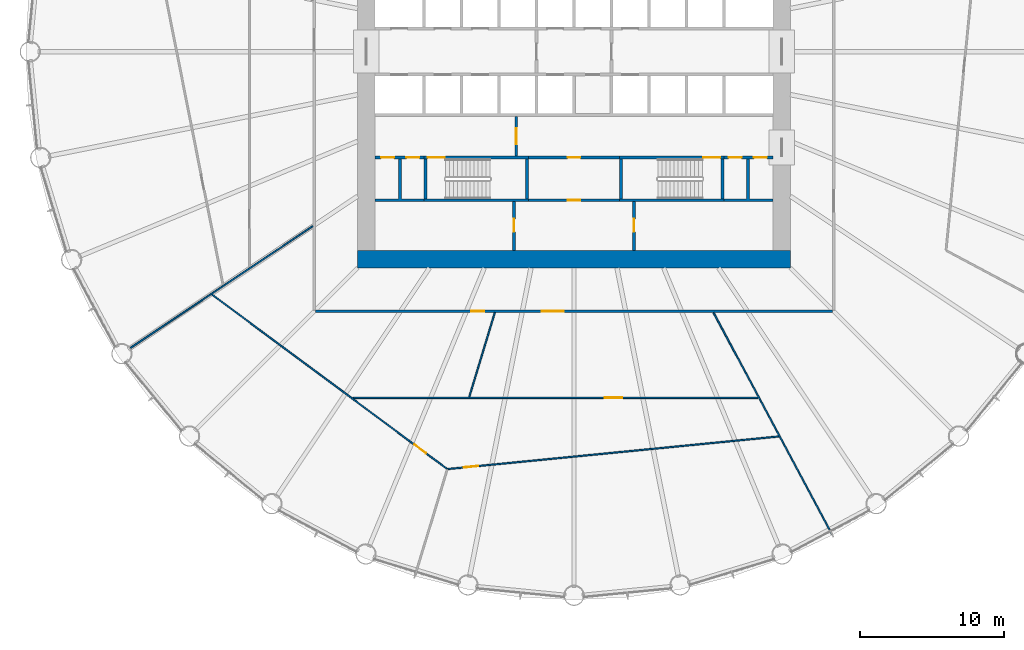
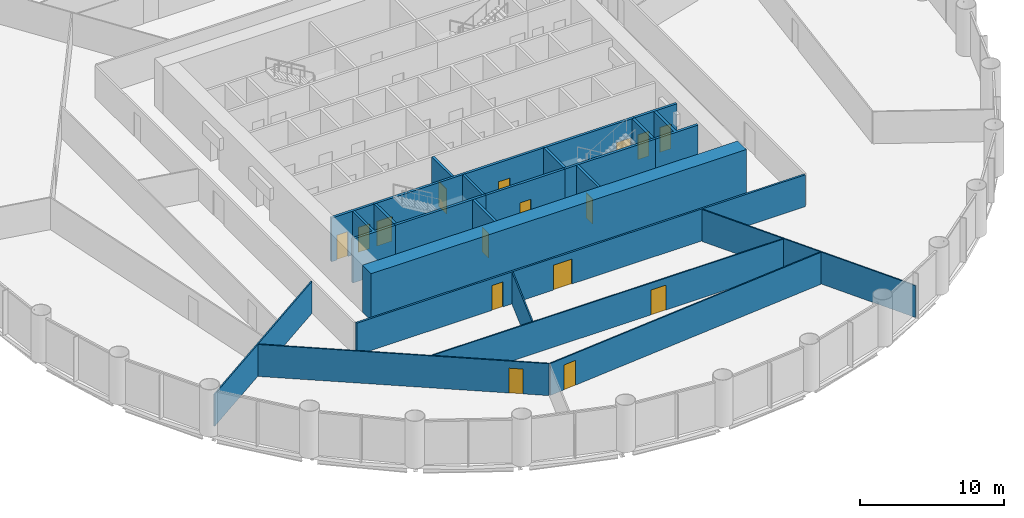
# One storey, part 10 of 14: 25 walls, 16 doors, 16 openings.
"""IFC4 building model written with IfcOpenShell, lengths in metres."""

from ifc_helpers import new_model, si_unit, direction, frame, frame_2d, origin, place, context, subcontext, project, spatial, polyline, rectangle, outline, extrude, material, layer, layer_set, type_object, element, fill, save


model = new_model("IFC4")

# Units and contexts
model_context = context("Model", 3, precision=1e-05, world=origin(), true_north=direction((0.0, 1.0)))
body_context = subcontext(model_context, "Body", "Model", "MODEL_VIEW")
ifc_project = project(units=[si_unit("LENGTHUNIT", "METRE"), si_unit("AREAUNIT", "SQUARE_METRE"), si_unit("VOLUMEUNIT", "CUBIC_METRE"), si_unit("PLANEANGLEUNIT", "RADIAN"), si_unit("MASSUNIT", "GRAM", prefix="KILO")], contexts=[model_context])

# Site, building, storey
site_placement = place(None, origin())
site = spatial("IfcSite", under=ifc_project, at=site_placement, CompositionType="ELEMENT")
building_placement = place(site_placement, origin())
building = spatial("IfcBuilding", under=site, at=building_placement, Name="Corvane Civic Tower", CompositionType="ELEMENT")
storey_placement = place(building_placement, frame((0.0, 0.0, 49.0)))
storey = spatial("IfcBuildingStorey", under=building, at=storey_placement, Name="L10", CompositionType="ELEMENT", Elevation=49.0)

# Wall
ifc_material_1 = material(Name="Concrete C80/95", Category="concrete")
ifc_layer_1 = layer(ifc_material_1, 1.199951171875)
ifc_layer_set_1 = layer_set([ifc_layer_1], Name="Concrete C80/95")
wall_type_1 = type_object("IfcWallType", Name="CORE WALL 1200 C80/95", PredefinedType="SHEAR", material=ifc_layer_set_1)
wall_1_placement = place(storey_placement, frame((-15.0, -14.39990234375, 0.0), z_axis=(0.0, 0.0, 1.0), x_axis=(1.0, 0.0, 0.0)))
element("IfcWall", 1, at=wall_1_placement, inside=storey, type_object=wall_type_1, Name="W-L10-core-S", PredefinedType="SHEAR", context=body_context, shape_type="SweptSolid", body=[
    extrude(rectangle(XDim=30.0, YDim=1.199951171875, at=frame_2d((15.0, 0.0))), origin(), (0.0, 0.0, 1.0), 4.0),
])

# Wall, opening, door
ifc_material_2 = material(Name="Concrete C30/37", Category="concrete")
ifc_layer_2 = layer(ifc_material_2, 0.199951171875)
ifc_layer_set_2 = layer_set([ifc_layer_2], Name="Concrete C30/37")
wall_type_2 = type_object("IfcWallType", Name="CR-WALL-200", PredefinedType="PARTITIONING", material=ifc_layer_set_2)
wall_2_placement = place(storey_placement, frame((-3.14990234375, -10.300048828125, 0.0), z_axis=(0.0, 0.0, 1.0), x_axis=(1.0, 0.0, 0.0)))
wall_2 = element("IfcWall", 2, at=wall_2_placement, inside=storey, type_object=wall_type_2, Name="L10 partition wall", PredefinedType="PARTITIONING", context=body_context, shape_type="SweptSolid", body=[
    extrude(rectangle(XDim=6.2998046875, YDim=0.199951171875, at=frame_2d((3.14990234375, 0.0))), origin(), (0.0, 0.0, 1.0), 3.699951171875),
])
opening_1_placement = place(wall_2_placement, frame((2.699951171875, 0.0, 0.0)))
opening_1 = element("IfcOpeningElement", 3, at=opening_1_placement, cuts=wall_2, Name="Opening L10.C08", PredefinedType="OPENING", context=body_context, shape_type="SweptSolid", body=[
    extrude(rectangle(XDim=0.89990234375, YDim=2.10009765625, at=frame_2d((0.449951171875, 1.050048828125))), frame((0.0, 0.10986328125, 0.0), z_axis=(0.0, -1.0, 0.0), x_axis=(1.0, 0.0, 0.0)), (0.0, 0.0, 1.0), 0.219970703125),
])
ifc_material_3 = material(Name="Steel fire door leaf", Category="steel")
door_type_1 = type_object("IfcDoorType", Name="CR-DOOR-900", OperationType="SINGLE_SWING_LEFT", PredefinedType="DOOR", material=ifc_material_3)
door_1_placement = place(opening_1_placement, origin())
door_1 = element("IfcDoor", 4, at=door_1_placement, inside=storey, type_object=door_type_1, Name="L10 door", OperationType="SINGLE_SWING_LEFT", OverallHeight=2.10009765625, OverallWidth=0.89990234375, PredefinedType="DOOR", context=body_context, shape_type="SweptSolid", body=[
    extrude(rectangle(XDim=0.89990234375, YDim=2.10009765625, at=frame_2d((0.449951171875, 1.050048828125))), frame((0.0, 0.02490234375, 0.0), z_axis=(0.0, -1.0, 0.0), x_axis=(1.0, 0.0, 0.0)), (0.0, 0.0, 1.0), 0.050048828125),
])
fill(opening_1, door_1)

# Wall, openings, doors
wall_3_placement = place(storey_placement, frame((-13.800048828125, -7.35009765625, 0.0), z_axis=(0.0, 0.0, 1.0), x_axis=(1.0, 0.0, 0.0)))
wall_3 = element("IfcWall", 5, at=wall_3_placement, inside=storey, type_object=wall_type_2, Name="L10 core partition wall", PredefinedType="PARTITIONING", context=body_context, shape_type="SweptSolid", body=[
    extrude(rectangle(XDim=3.400146484375, YDim=0.199951171875, at=frame_2d((1.7001953125, 0.0))), origin(), (0.0, 0.0, 1.0), 3.699951171875),
])
opening_2_placement = place(wall_3_placement, frame((0.425048828125, 0.0, 0.0)))
opening_2 = element("IfcOpeningElement", 6, at=opening_2_placement, cuts=wall_3, Name="Opening L10.C12", PredefinedType="OPENING", context=body_context, shape_type="SweptSolid", body=[
    extrude(rectangle(XDim=0.89990234375, YDim=2.10009765625, at=frame_2d((0.449951171875, 1.050048828125))), frame((0.0, 0.10986328125, 0.0), z_axis=(0.0, -1.0, 0.0), x_axis=(1.0, 0.0, 0.0)), (0.0, 0.0, 1.0), 0.219970703125),
])
opening_3_placement = place(wall_3_placement, frame((2.175048828125, 0.0, 0.0)))
opening_3 = element("IfcOpeningElement", 7, at=opening_3_placement, cuts=wall_3, Name="Opening L10.C13", PredefinedType="OPENING", context=body_context, shape_type="SweptSolid", body=[
    extrude(rectangle(XDim=0.89990234375, YDim=2.10009765625, at=frame_2d((0.449951171875, 1.050048828125))), frame((0.0, 0.10986328125, 0.0), z_axis=(0.0, -1.0, 0.0), x_axis=(1.0, 0.0, 0.0)), (0.0, 0.0, 1.0), 0.219970703125),
])
door_2_placement = place(opening_2_placement, origin())
door_2 = element("IfcDoor", 8, at=door_2_placement, inside=storey, type_object=door_type_1, Name="L10 door", OperationType="SINGLE_SWING_LEFT", OverallHeight=2.10009765625, OverallWidth=0.89990234375, PredefinedType="DOOR", context=body_context, shape_type="SweptSolid", body=[
    extrude(rectangle(XDim=0.89990234375, YDim=2.10009765625, at=frame_2d((0.449951171875, 1.050048828125))), frame((0.0, 0.02490234375, 0.0), z_axis=(0.0, -1.0, 0.0), x_axis=(1.0, 0.0, 0.0)), (0.0, 0.0, 1.0), 0.050048828125),
])
fill(opening_2, door_2)
door_3_placement = place(opening_3_placement, origin())
door_3 = element("IfcDoor", 9, at=door_3_placement, inside=storey, type_object=door_type_1, Name="L10 door", OperationType="SINGLE_SWING_LEFT", OverallHeight=2.10009765625, OverallWidth=0.89990234375, PredefinedType="DOOR", context=body_context, shape_type="SweptSolid", body=[
    extrude(rectangle(XDim=0.89990234375, YDim=2.10009765625, at=frame_2d((0.449951171875, 1.050048828125))), frame((0.0, 0.02490234375, 0.0), z_axis=(0.0, -1.0, 0.0), x_axis=(1.0, 0.0, 0.0)), (0.0, 0.0, 1.0), 0.050048828125),
])
fill(opening_3, door_3)

# Wall, opening, door
wall_4_placement = place(storey_placement, frame((-3.14990234375, -7.35009765625, 0.0), z_axis=(0.0, 0.0, 1.0), x_axis=(1.0, 0.0, 0.0)))
wall_4 = element("IfcWall", 10, at=wall_4_placement, inside=storey, type_object=wall_type_2, Name="L10 core partition wall", PredefinedType="PARTITIONING", context=body_context, shape_type="SweptSolid", body=[
    extrude(rectangle(XDim=6.2998046875, YDim=0.199951171875, at=frame_2d((3.14990234375, 0.0))), origin(), (0.0, 0.0, 1.0), 3.699951171875),
])
opening_4_placement = place(wall_4_placement, frame((2.699951171875, 0.0, 0.0)))
opening_4 = element("IfcOpeningElement", 11, at=opening_4_placement, cuts=wall_4, Name="Opening L10.C03", PredefinedType="OPENING", context=body_context, shape_type="SweptSolid", body=[
    extrude(rectangle(XDim=0.89990234375, YDim=2.10009765625, at=frame_2d((0.449951171875, 1.050048828125))), frame((0.0, 0.10986328125, 0.0), z_axis=(0.0, -1.0, 0.0), x_axis=(1.0, 0.0, 0.0)), (0.0, 0.0, 1.0), 0.219970703125),
])
door_4_placement = place(opening_4_placement, origin())
door_4 = element("IfcDoor", 12, at=door_4_placement, inside=storey, type_object=door_type_1, Name="L10 door", OperationType="SINGLE_SWING_LEFT", OverallHeight=2.10009765625, OverallWidth=0.89990234375, PredefinedType="DOOR", context=body_context, shape_type="SweptSolid", body=[
    extrude(rectangle(XDim=0.89990234375, YDim=2.10009765625, at=frame_2d((0.449951171875, 1.050048828125))), frame((0.0, 0.02490234375, 0.0), z_axis=(0.0, -1.0, 0.0), x_axis=(1.0, 0.0, 0.0)), (0.0, 0.0, 1.0), 0.050048828125),
])
fill(opening_4, door_4)

# Wall, openings, doors
wall_5_placement = place(storey_placement, frame((10.39990234375, -7.35009765625, 0.0), z_axis=(0.0, 0.0, 1.0), x_axis=(1.0, 0.0, 0.0)))
wall_5 = element("IfcWall", 13, at=wall_5_placement, inside=storey, type_object=wall_type_2, Name="L10 core partition wall", PredefinedType="PARTITIONING", context=body_context, shape_type="SweptSolid", body=[
    extrude(rectangle(XDim=3.400146484375, YDim=0.199951171875, at=frame_2d((1.7001953125, 0.0))), origin(), (0.0, 0.0, 1.0), 3.699951171875),
])
opening_5_placement = place(wall_5_placement, frame((0.324951171875, 0.0, 0.0)))
opening_5 = element("IfcOpeningElement", 14, at=opening_5_placement, cuts=wall_5, Name="Opening L10.C16", PredefinedType="OPENING", context=body_context, shape_type="SweptSolid", body=[
    extrude(rectangle(XDim=0.89990234375, YDim=2.10009765625, at=frame_2d((0.449951171875, 1.050048828125))), frame((0.0, 0.10986328125, 0.0), z_axis=(0.0, -1.0, 0.0), x_axis=(1.0, 0.0, 0.0)), (0.0, 0.0, 1.0), 0.219970703125),
])
opening_6_placement = place(wall_5_placement, frame((2.074951171875, 0.0, 0.0)))
opening_6 = element("IfcOpeningElement", 15, at=opening_6_placement, cuts=wall_5, Name="Opening L10.C17", PredefinedType="OPENING", context=body_context, shape_type="SweptSolid", body=[
    extrude(rectangle(XDim=0.89990234375, YDim=2.10009765625, at=frame_2d((0.449951171875, 1.050048828125))), frame((0.0, 0.10986328125, 0.0), z_axis=(0.0, -1.0, 0.0), x_axis=(1.0, 0.0, 0.0)), (0.0, 0.0, 1.0), 0.219970703125),
])
door_5_placement = place(opening_5_placement, origin())
door_5 = element("IfcDoor", 16, at=door_5_placement, inside=storey, type_object=door_type_1, Name="L10 door", OperationType="SINGLE_SWING_LEFT", OverallHeight=2.10009765625, OverallWidth=0.89990234375, PredefinedType="DOOR", context=body_context, shape_type="SweptSolid", body=[
    extrude(rectangle(XDim=0.89990234375, YDim=2.10009765625, at=frame_2d((0.449951171875, 1.050048828125))), frame((0.0, 0.02490234375, 0.0), z_axis=(0.0, -1.0, 0.0), x_axis=(1.0, 0.0, 0.0)), (0.0, 0.0, 1.0), 0.050048828125),
])
fill(opening_5, door_5)
door_6_placement = place(opening_6_placement, origin())
door_6 = element("IfcDoor", 17, at=door_6_placement, inside=storey, type_object=door_type_1, Name="L10 door", OperationType="SINGLE_SWING_LEFT", OverallHeight=2.10009765625, OverallWidth=0.89990234375, PredefinedType="DOOR", context=body_context, shape_type="SweptSolid", body=[
    extrude(rectangle(XDim=0.89990234375, YDim=2.10009765625, at=frame_2d((0.449951171875, 1.050048828125))), frame((0.0, 0.02490234375, 0.0), z_axis=(0.0, -1.0, 0.0), x_axis=(1.0, 0.0, 0.0)), (0.0, 0.0, 1.0), 0.050048828125),
])
fill(opening_6, door_6)

# Wall, opening, door
wall_6_placement = place(storey_placement, frame((-4.14990234375, -13.800048828125, 0.0), z_axis=(0.0, 0.0, 1.0), x_axis=(0.0, 1.0, 0.0)))
wall_6 = element("IfcWall", 18, at=wall_6_placement, inside=storey, type_object=wall_type_2, Name="L10 partition wall", PredefinedType="PARTITIONING", context=body_context, shape_type="SweptSolid", body=[
    extrude(rectangle(XDim=3.400146484375, YDim=0.199951171875, at=frame_2d((1.7001953125, 0.0))), origin(), (0.0, 0.0, 1.0), 3.699951171875),
])
opening_7_placement = place(wall_6_placement, frame((1.300048828125, 0.0, 0.0)))
opening_7 = element("IfcOpeningElement", 19, at=opening_7_placement, cuts=wall_6, Name="Opening L10.C07", PredefinedType="OPENING", context=body_context, shape_type="SweptSolid", body=[
    extrude(rectangle(XDim=0.89990234375, YDim=2.10009765625, at=frame_2d((0.449951171875, 1.050048828125))), frame((0.0, 0.10986328125, 0.0), z_axis=(0.0, -1.0, 0.0), x_axis=(1.0, 0.0, 0.0)), (0.0, 0.0, 1.0), 0.219970703125),
])
door_7_placement = place(opening_7_placement, origin())
door_7 = element("IfcDoor", 20, at=door_7_placement, inside=storey, type_object=door_type_1, Name="L10 door", OperationType="SINGLE_SWING_LEFT", OverallHeight=2.10009765625, OverallWidth=0.89990234375, PredefinedType="DOOR", context=body_context, shape_type="SweptSolid", body=[
    extrude(rectangle(XDim=0.89990234375, YDim=2.10009765625, at=frame_2d((0.449951171875, 1.050048828125))), frame((0.0, 0.02490234375, 0.0), z_axis=(0.0, -1.0, 0.0), x_axis=(1.0, 0.0, 0.0)), (0.0, 0.0, 1.0), 0.050048828125),
])
fill(opening_7, door_7)

wall_7_placement = place(storey_placement, frame((-4.0, -7.25, 0.0), z_axis=(0.0, 0.0, 1.0), x_axis=(0.0, 1.0, 0.0)))
wall_7 = element("IfcWall", 21, at=wall_7_placement, inside=storey, type_object=wall_type_2, Name="L10 core partition wall", PredefinedType="PARTITIONING", context=body_context, shape_type="SweptSolid", body=[
    extrude(rectangle(XDim=2.75, YDim=0.199951171875, at=frame_2d((1.375, 0.0))), origin(), (0.0, 0.0, 1.0), 3.699951171875),
])
opening_8_placement = place(wall_7_placement, frame((0.824951171875, 0.0, 0.0)))
opening_8 = element("IfcOpeningElement", 22, at=opening_8_placement, cuts=wall_7, Name="Opening L10.C25", PredefinedType="OPENING", context=body_context, shape_type="SweptSolid", body=[
    extrude(rectangle(XDim=1.10009765625, YDim=2.10009765625, at=frame_2d((0.550048828125, 1.050048828125))), frame((0.0, 0.10986328125, 0.0), z_axis=(0.0, -1.0, 0.0), x_axis=(1.0, 0.0, 0.0)), (0.0, 0.0, 1.0), 0.219970703125),
])
ifc_material_4 = material(Name="Steel fire door leaf", Category="steel")
door_type_2 = type_object("IfcDoorType", Name="CR-DOOR-FFL-1100", OperationType="SINGLE_SWING_LEFT", PredefinedType="DOOR", material=ifc_material_4)
door_8_placement = place(opening_8_placement, origin())
door_8 = element("IfcDoor", 23, at=door_8_placement, inside=storey, type_object=door_type_2, Name="L10 lobby door", OperationType="SINGLE_SWING_LEFT", OverallHeight=2.10009765625, OverallWidth=1.10009765625, PredefinedType="DOOR", context=body_context, shape_type="SweptSolid", body=[
    extrude(rectangle(XDim=1.10009765625, YDim=2.10009765625, at=frame_2d((0.550048828125, 1.050048828125))), frame((0.0, 0.02490234375, 0.0), z_axis=(0.0, -1.0, 0.0), x_axis=(1.0, 0.0, 0.0)), (0.0, 0.0, 1.0), 0.050048828125),
])
fill(opening_8, door_8)

wall_8_placement = place(storey_placement, frame((4.14990234375, -13.800048828125, 0.0), z_axis=(0.0, 0.0, 1.0), x_axis=(0.0, 1.0, 0.0)))
wall_8 = element("IfcWall", 24, at=wall_8_placement, inside=storey, type_object=wall_type_2, Name="L10 partition wall", PredefinedType="PARTITIONING", context=body_context, shape_type="SweptSolid", body=[
    extrude(rectangle(XDim=3.400146484375, YDim=0.199951171875, at=frame_2d((1.7001953125, 0.0))), origin(), (0.0, 0.0, 1.0), 3.699951171875),
])
opening_9_placement = place(wall_8_placement, frame((1.300048828125, 0.0, 0.0)))
opening_9 = element("IfcOpeningElement", 25, at=opening_9_placement, cuts=wall_8, Name="Opening L10.C09", PredefinedType="OPENING", context=body_context, shape_type="SweptSolid", body=[
    extrude(rectangle(XDim=0.89990234375, YDim=2.10009765625, at=frame_2d((0.449951171875, 1.050048828125))), frame((0.0, 0.10986328125, 0.0), z_axis=(0.0, -1.0, 0.0), x_axis=(1.0, 0.0, 0.0)), (0.0, 0.0, 1.0), 0.219970703125),
])
door_9_placement = place(opening_9_placement, origin())
door_9 = element("IfcDoor", 26, at=door_9_placement, inside=storey, type_object=door_type_1, Name="L10 door", OperationType="SINGLE_SWING_LEFT", OverallHeight=2.10009765625, OverallWidth=0.89990234375, PredefinedType="DOOR", context=body_context, shape_type="SweptSolid", body=[
    extrude(rectangle(XDim=0.89990234375, YDim=2.10009765625, at=frame_2d((0.449951171875, 1.050048828125))), frame((0.0, 0.02490234375, 0.0), z_axis=(0.0, -1.0, 0.0), x_axis=(1.0, 0.0, 0.0)), (0.0, 0.0, 1.0), 0.050048828125),
])
fill(opening_9, door_9)

# Walls
wall_9_placement = place(storey_placement, origin())
element("IfcWall", 27, at=wall_9_placement, inside=storey, type_object=wall_type_2, Name="L10 core partition wall", PredefinedType="PARTITIONING", context=body_context, shape_type="SweptSolid", body=[
    extrude(outline(polyline([(-12.14990234375, -7.449951171875), (-11.949951171875, -7.449951171875), (-11.949951171875, -10.199951171875), (-10.39990234375, -10.199951171875), (-10.39990234375, -10.39990234375), (-13.800048828125, -10.39990234375), (-13.800048828125, -10.199951171875), (-12.14990234375, -10.199951171875), (-12.14990234375, -7.449951171875)])), origin(), (0.0, 0.0, 1.0), 3.699951171875),
])
wall_10_placement = place(storey_placement, origin())
element("IfcWall", 28, at=wall_10_placement, inside=storey, type_object=wall_type_2, Name="L10 core partition wall", PredefinedType="PARTITIONING", context=body_context, shape_type="SweptSolid", body=[
    extrude(outline(polyline([(11.949951171875, -7.449951171875), (12.14990234375, -7.449951171875), (12.14990234375, -10.199951171875), (13.800048828125, -10.199951171875), (13.800048828125, -10.39990234375), (10.39990234375, -10.39990234375), (10.39990234375, -10.199951171875), (11.949951171875, -10.199951171875), (11.949951171875, -7.449951171875)])), origin(), (0.0, 0.0, 1.0), 3.699951171875),
])
ifc_material_5 = material(Name="Plasterboard")
ifc_layer_3 = layer(ifc_material_5, 0.10009765625)
ifc_layer_set_3 = layer_set([ifc_layer_3], Name="Plasterboard")
wall_type_3 = type_object("IfcWallType", Name="Partition 100 plasterboard on studs", PredefinedType="PARTITIONING", material=ifc_layer_set_3)
wall_11_placement = place(storey_placement, frame((9.673828125, -18.0986328125, 0.0), z_axis=(0.0, 0.0, 1.0), x_axis=(0.471405261517, -0.881916707753, 0.0)))
element("IfcWall", 29, at=wall_11_placement, inside=storey, type_object=wall_type_3, Name="Partition L10.002", PredefinedType="PARTITIONING", context=body_context, shape_type="SweptSolid", body=[
    extrude(rectangle(XDim=17.428466796875, YDim=0.10009765625, at=frame_2d((8.71435546875, 0.0))), origin(), (0.0, 0.0, 1.0), 2.699951171875),
])

# Wall, opening, door
wall_12_placement = place(storey_placement, frame((-8.7451171875, -28.935546875, 0.0), z_axis=(0.0, 0.0, 1.0), x_axis=(0.99518455634, 0.098018869726, 0.0)))
wall_12 = element("IfcWall", 30, at=wall_12_placement, inside=storey, type_object=wall_type_3, Name="Partition L10.003", PredefinedType="PARTITIONING", context=body_context, shape_type="SweptSolid", body=[
    extrude(rectangle(XDim=23.036865234375, YDim=0.10009765625, at=frame_2d((11.5185546875, 0.0))), origin(), (0.0, 0.0, 1.0), 2.699951171875),
])
opening_10_placement = place(wall_12_placement, frame((1.12841796875, 0.0, 0.0)))
opening_10 = element("IfcOpeningElement", 31, at=opening_10_placement, cuts=wall_12, Name="Opening L10.011", PredefinedType="OPENING", context=body_context, shape_type="SweptSolid", body=[
    extrude(rectangle(XDim=1.0, YDim=2.10009765625, at=frame_2d((0.5, 1.050048828125))), frame((0.0, 0.06005859375, 0.0), z_axis=(0.0, -1.0, 0.0), x_axis=(1.0, 0.0, 0.0)), (0.0, 0.0, 1.0), 0.1201171875),
])
ifc_material_6 = material(Name="Timber", Category="wood")
door_type_3 = type_object("IfcDoorType", Name="Single door 1000", OperationType="NOTDEFINED", PredefinedType="DOOR", material=ifc_material_6)
door_10_placement = place(opening_10_placement, frame((1.0, 0.0, 0.0), z_axis=(0.0, 0.0, 1.0), x_axis=(-1.0, 0.0, 0.0)))
door_10 = element("IfcDoor", 32, at=door_10_placement, inside=storey, type_object=door_type_3, Name="Door L10.011", OperationType="SINGLE_SWING_LEFT", OverallHeight=2.10009765625, OverallWidth=1.0, PredefinedType="DOOR", context=body_context, shape_type="SweptSolid", body=[
    extrude(rectangle(XDim=1.0, YDim=2.10009765625, at=frame_2d((0.5, 1.050048828125))), frame((0.0, 0.02490234375, 0.0), z_axis=(0.0, -1.0, 0.0), x_axis=(1.0, 0.0, 0.0)), (0.0, 0.0, 1.0), 0.050048828125),
])
fill(opening_10, door_10)

wall_13_placement = place(storey_placement, frame((-25.08740234375, -16.84326171875, 0.0), z_axis=(0.0, 0.0, 1.0), x_axis=(0.803207339444, -0.595699563423, 0.0)))
wall_13 = element("IfcWall", 33, at=wall_13_placement, inside=storey, type_object=wall_type_3, Name="Partition L10.004", PredefinedType="PARTITIONING", context=body_context, shape_type="SweptSolid", body=[
    extrude(rectangle(XDim=20.269287109375, YDim=0.10009765625, at=frame_2d((10.134765625, 0.0))), origin(), (0.0, 0.0, 1.0), 2.699951171875),
])
opening_11_placement = place(wall_13_placement, frame((17.458984375, 0.0, 0.0)))
opening_11 = element("IfcOpeningElement", 34, at=opening_11_placement, cuts=wall_13, Name="Opening L10.012", PredefinedType="OPENING", context=body_context, shape_type="SweptSolid", body=[
    extrude(rectangle(XDim=1.0, YDim=2.10009765625, at=frame_2d((0.5, 1.050048828125))), frame((0.0, 0.06005859375, 0.0), z_axis=(0.0, -1.0, 0.0), x_axis=(1.0, 0.0, 0.0)), (0.0, 0.0, 1.0), 0.1201171875),
])
door_11_placement = place(opening_11_placement, frame((1.0, 0.0, 0.0), z_axis=(0.0, 0.0, 1.0), x_axis=(-1.0, 0.0, 0.0)))
door_11 = element("IfcDoor", 35, at=door_11_placement, inside=storey, type_object=door_type_3, Name="Door L10.012", OperationType="SINGLE_SWING_RIGHT", OverallHeight=2.10009765625, OverallWidth=1.0, PredefinedType="DOOR", context=body_context, shape_type="SweptSolid", body=[
    extrude(rectangle(XDim=1.0, YDim=2.10009765625, at=frame_2d((0.5, 1.050048828125))), frame((0.0, 0.02490234375, 0.0), z_axis=(0.0, -1.0, 0.0), x_axis=(1.0, 0.0, 0.0)), (0.0, 0.0, 1.0), 0.050048828125),
])
fill(opening_11, door_11)

wall_14_placement = place(storey_placement, frame((-15.286376953125, -24.0, 0.0), z_axis=(0.0, 0.0, 1.0), x_axis=(1.0, 0.0, 0.0)))
wall_14 = element("IfcWall", 36, at=wall_14_placement, inside=storey, type_object=wall_type_3, Name="Partition L10.005", PredefinedType="PARTITIONING", context=body_context, shape_type="SweptSolid", body=[
    extrude(rectangle(XDim=28.03125, YDim=0.10009765625, at=frame_2d((14.015625, 0.0))), origin(), (0.0, 0.0, 1.0), 2.699951171875),
])
opening_12_placement = place(wall_14_placement, frame((17.423583984375, 0.0, 0.0)))
opening_12 = element("IfcOpeningElement", 37, at=opening_12_placement, cuts=wall_14, Name="Opening L10.013", PredefinedType="OPENING", context=body_context, shape_type="SweptSolid", body=[
    extrude(rectangle(XDim=1.199951171875, YDim=2.10009765625, at=frame_2d((0.60009765625, 1.050048828125))), frame((0.0, 0.06005859375, 0.0), z_axis=(0.0, -1.0, 0.0), x_axis=(1.0, 0.0, 0.0)), (0.0, 0.0, 1.0), 0.1201171875),
])
ifc_material_7 = material(Name="Timber", Category="wood")
door_type_4 = type_object("IfcDoorType", Name="Double door 1200", OperationType="NOTDEFINED", PredefinedType="DOOR", material=ifc_material_7)
door_12_placement = place(opening_12_placement, frame((1.199951171875, 0.0, 0.0), z_axis=(0.0, 0.0, 1.0), x_axis=(-1.0, 0.0, 0.0)))
door_12 = element("IfcDoor", 38, at=door_12_placement, inside=storey, type_object=door_type_4, Name="Door L10.013", OperationType="DOUBLE_DOOR_SINGLE_SWING", OverallHeight=2.10009765625, OverallWidth=1.199951171875, PredefinedType="DOOR", context=body_context, shape_type="SweptSolid", body=[
    extrude(rectangle(XDim=1.199951171875, YDim=2.10009765625, at=frame_2d((0.60009765625, 1.050048828125))), frame((0.0, 0.02490234375, 0.0), z_axis=(0.0, -1.0, 0.0), x_axis=(1.0, 0.0, 0.0)), (0.0, 0.0, 1.0), 0.050048828125),
])
fill(opening_12, door_12)

# Walls
wall_15_placement = place(storey_placement, frame((-7.2607421875, -23.935546875, 0.0), z_axis=(0.0, 0.0, 1.0), x_axis=(0.290297985897, 0.956936298499, 0.0)))
element("IfcWall", 39, at=wall_15_placement, inside=storey, type_object=wall_type_3, Name="Partition L10.006", PredefinedType="PARTITIONING", context=body_context, shape_type="SweptSolid", body=[
    extrude(rectangle(XDim=6.109130859375, YDim=0.10009765625, at=frame_2d((3.0546875, 0.0))), origin(), (0.0, 0.0, 1.0), 2.699951171875),
])
wall_16_placement = place(storey_placement, frame((-30.756103515625, -20.550537109375, 0.0), z_axis=(0.0, 0.0, 1.0), x_axis=(0.83147229833, 0.555566213074, 0.0)))
element("IfcWall", 40, at=wall_16_placement, inside=storey, type_object=wall_type_3, Name="Partition L10.007", PredefinedType="PARTITIONING", context=body_context, shape_type="SweptSolid", body=[
    extrude(rectangle(XDim=15.218017578125, YDim=0.10009765625, at=frame_2d((7.60888671875, 0.0))), origin(), (0.0, 0.0, 1.0), 2.699951171875),
])

# Wall, opening, door
ifc_material_8 = material(Name="Concrete C50/60", Category="concrete")
ifc_layer_4 = layer(ifc_material_8, 0.199951171875)
ifc_layer_set_4 = layer_set([ifc_layer_4], Name="Concrete C50/60")
wall_type_4 = type_object("IfcWallType", Name="ST-WALL-200", PredefinedType="SHEAR", material=ifc_layer_set_4)
wall_17_placement = place(storey_placement, frame((-10.39990234375, -7.35009765625, 0.0), z_axis=(0.0, 0.0, 1.0), x_axis=(1.0, 0.0, 0.0)))
wall_17 = element("IfcWall", 41, at=wall_17_placement, inside=storey, type_object=wall_type_4, Name="L10 stair enclosure wall", PredefinedType="SHEAR", context=body_context, shape_type="SweptSolid", body=[
    extrude(rectangle(XDim=7.25, YDim=0.199951171875, at=frame_2d((3.625, 0.0))), origin(), (0.0, 0.0, 1.0), 3.699951171875),
])
opening_13_placement = place(wall_17_placement, frame((0.25, 0.0, 0.0)))
opening_13 = element("IfcOpeningElement", 42, at=opening_13_placement, cuts=wall_17, Name="Opening L10.C21", PredefinedType="OPENING", context=body_context, shape_type="SweptSolid", body=[
    extrude(rectangle(XDim=1.199951171875, YDim=2.10009765625, at=frame_2d((0.60009765625, 1.050048828125))), frame((0.0, 0.10986328125, 0.0), z_axis=(0.0, -1.0, 0.0), x_axis=(1.0, 0.0, 0.0)), (0.0, 0.0, 1.0), 0.219970703125),
])
ifc_material_9 = material(Name="Steel fire door leaf", Category="steel")
door_type_5 = type_object("IfcDoorType", Name="ST-DOOR-1200", OperationType="SINGLE_SWING_RIGHT", PredefinedType="DOOR", material=ifc_material_9)
door_13_placement = place(opening_13_placement, origin())
door_13 = element("IfcDoor", 43, at=door_13_placement, inside=storey, type_object=door_type_5, Name="L10 stair door", OperationType="SINGLE_SWING_RIGHT", OverallHeight=2.10009765625, OverallWidth=1.199951171875, PredefinedType="DOOR", context=body_context, shape_type="SweptSolid", body=[
    extrude(rectangle(XDim=1.199951171875, YDim=2.10009765625, at=frame_2d((0.60009765625, 1.050048828125))), frame((0.0, 0.02490234375, 0.0), z_axis=(0.0, -1.0, 0.0), x_axis=(1.0, 0.0, 0.0)), (0.0, 0.0, 1.0), 0.050048828125),
])
fill(opening_13, door_13)

wall_18_placement = place(storey_placement, frame((3.14990234375, -7.35009765625, 0.0), z_axis=(0.0, 0.0, 1.0), x_axis=(1.0, 0.0, 0.0)))
wall_18 = element("IfcWall", 44, at=wall_18_placement, inside=storey, type_object=wall_type_4, Name="L10 stair enclosure wall", PredefinedType="SHEAR", context=body_context, shape_type="SweptSolid", body=[
    extrude(rectangle(XDim=7.25, YDim=0.199951171875, at=frame_2d((3.625, 0.0))), origin(), (0.0, 0.0, 1.0), 3.699951171875),
])
opening_14_placement = place(wall_18_placement, frame((5.800048828125, 0.0, 0.0)))
opening_14 = element("IfcOpeningElement", 45, at=opening_14_placement, cuts=wall_18, Name="Opening L10.C20", PredefinedType="OPENING", context=body_context, shape_type="SweptSolid", body=[
    extrude(rectangle(XDim=1.199951171875, YDim=2.10009765625, at=frame_2d((0.60009765625, 1.050048828125))), frame((0.0, 0.10986328125, 0.0), z_axis=(0.0, -1.0, 0.0), x_axis=(1.0, 0.0, 0.0)), (0.0, 0.0, 1.0), 0.219970703125),
])
door_14_placement = place(opening_14_placement, origin())
door_14 = element("IfcDoor", 46, at=door_14_placement, inside=storey, type_object=door_type_5, Name="L10 stair door", OperationType="SINGLE_SWING_RIGHT", OverallHeight=2.10009765625, OverallWidth=1.199951171875, PredefinedType="DOOR", context=body_context, shape_type="SweptSolid", body=[
    extrude(rectangle(XDim=1.199951171875, YDim=2.10009765625, at=frame_2d((0.60009765625, 1.050048828125))), frame((0.0, 0.02490234375, 0.0), z_axis=(0.0, -1.0, 0.0), x_axis=(1.0, 0.0, 0.0)), (0.0, 0.0, 1.0), 0.050048828125),
])
fill(opening_14, door_14)

# Walls
wall_19_placement = place(storey_placement, origin())
element("IfcWall", 47, at=wall_19_placement, inside=storey, type_object=wall_type_4, Name="L10 stair enclosure wall", PredefinedType="SHEAR", context=body_context, shape_type="SweptSolid", body=[
    extrude(outline(polyline([(-3.14990234375, -10.199951171875), (-3.14990234375, -10.39990234375), (-10.39990234375, -10.39990234375), (-10.39990234375, -10.199951171875), (-3.14990234375, -10.199951171875)])), origin(), (0.0, 0.0, 1.0), 3.699951171875),
])
wall_20_placement = place(storey_placement, origin())
element("IfcWall", 48, at=wall_20_placement, inside=storey, type_object=wall_type_4, Name="L10 stair enclosure wall", PredefinedType="SHEAR", context=body_context, shape_type="SweptSolid", body=[
    extrude(outline(polyline([(10.39990234375, -10.39990234375), (3.14990234375, -10.39990234375), (3.14990234375, -10.199951171875), (10.39990234375, -10.199951171875), (10.39990234375, -10.39990234375)])), origin(), (0.0, 0.0, 1.0), 3.699951171875),
])
wall_21_placement = place(storey_placement, origin())
element("IfcWall", 49, at=wall_21_placement, inside=storey, type_object=wall_type_4, Name="L10 stair enclosure wall", PredefinedType="SHEAR", context=body_context, shape_type="SweptSolid", body=[
    extrude(outline(polyline([(-3.14990234375, -7.449951171875), (-3.14990234375, -10.199951171875), (-3.35009765625, -10.199951171875), (-3.35009765625, -7.449951171875), (-3.14990234375, -7.449951171875)])), origin(), (0.0, 0.0, 1.0), 3.699951171875),
])
wall_22_placement = place(storey_placement, origin())
element("IfcWall", 50, at=wall_22_placement, inside=storey, type_object=wall_type_4, Name="L10 stair enclosure wall", PredefinedType="SHEAR", context=body_context, shape_type="SweptSolid", body=[
    extrude(outline(polyline([(3.35009765625, -7.449951171875), (3.35009765625, -10.199951171875), (3.14990234375, -10.199951171875), (3.14990234375, -7.449951171875), (3.35009765625, -7.449951171875)])), origin(), (0.0, 0.0, 1.0), 3.699951171875),
])
wall_23_placement = place(storey_placement, origin())
element("IfcWall", 51, at=wall_23_placement, inside=storey, type_object=wall_type_4, Name="L10 stair enclosure wall", PredefinedType="SHEAR", context=body_context, shape_type="SweptSolid", body=[
    extrude(outline(polyline([(-10.199951171875, -7.449951171875), (-10.199951171875, -10.199951171875), (-10.39990234375, -10.199951171875), (-10.39990234375, -7.449951171875), (-10.199951171875, -7.449951171875)])), origin(), (0.0, 0.0, 1.0), 3.699951171875),
])
wall_24_placement = place(storey_placement, origin())
element("IfcWall", 52, at=wall_24_placement, inside=storey, type_object=wall_type_4, Name="L10 stair enclosure wall", PredefinedType="SHEAR", context=body_context, shape_type="SweptSolid", body=[
    extrude(outline(polyline([(10.39990234375, -7.449951171875), (10.39990234375, -10.199951171875), (10.199951171875, -10.199951171875), (10.199951171875, -7.449951171875), (10.39990234375, -7.449951171875)])), origin(), (0.0, 0.0, 1.0), 3.699951171875),
])

# Wall, openings, doors
ifc_material_10 = material(Name="Plasterboard")
ifc_layer_5 = layer(ifc_material_10, 0.14990234375)
ifc_layer_set_5 = layer_set([ifc_layer_5], Name="Plasterboard")
wall_type_5 = type_object("IfcWallType", Name="Tenancy wall 150 EI 60", PredefinedType="PARTITIONING", material=ifc_layer_set_5)
wall_25_placement = place(storey_placement, frame((-17.925048828125, -18.0, 0.0), z_axis=(0.0, 0.0, 1.0), x_axis=(1.0, 0.0, 0.0)))
wall_25 = element("IfcWall", 53, at=wall_25_placement, inside=storey, type_object=wall_type_5, Name="Partition L10.008", PredefinedType="PARTITIONING", context=body_context, shape_type="SweptSolid", body=[
    extrude(rectangle(XDim=35.85009765625, YDim=0.14990234375, at=frame_2d((17.925048828125, 0.0))), origin(), (0.0, 0.0, 1.0), 2.699951171875),
])
opening_15_placement = place(wall_25_placement, frame((15.7060546875, 0.0, 0.0)))
opening_15 = element("IfcOpeningElement", 54, at=opening_15_placement, cuts=wall_25, Name="Opening L10.014", PredefinedType="OPENING", context=body_context, shape_type="SweptSolid", body=[
    extrude(rectangle(XDim=1.5, YDim=2.10009765625, at=frame_2d((0.75, 1.050048828125))), frame((0.0, 0.0849609375, 0.0), z_axis=(0.0, -1.0, 0.0), x_axis=(1.0, 0.0, 0.0)), (0.0, 0.0, 1.0), 0.169921875),
])
opening_16_placement = place(wall_25_placement, frame((10.78857421875, 0.0, 0.0)))
opening_16 = element("IfcOpeningElement", 55, at=opening_16_placement, cuts=wall_25, Name="Opening L10.015", PredefinedType="OPENING", context=body_context, shape_type="SweptSolid", body=[
    extrude(rectangle(XDim=0.89990234375, YDim=2.10009765625, at=frame_2d((0.449951171875, 1.050048828125))), frame((0.0, 0.0849609375, 0.0), z_axis=(0.0, -1.0, 0.0), x_axis=(1.0, 0.0, 0.0)), (0.0, 0.0, 1.0), 0.169921875),
])
ifc_material_11 = material(Name="Steel and timber", Category="steel")
door_type_6 = type_object("IfcDoorType", Name="Fire door FD30S 900", OperationType="NOTDEFINED", PredefinedType="DOOR", material=ifc_material_11)
door_15_placement = place(opening_16_placement, frame((0.89990234375, 0.0, 0.0), z_axis=(0.0, 0.0, 1.0), x_axis=(-1.0, 0.0, 0.0)))
door_15 = element("IfcDoor", 56, at=door_15_placement, inside=storey, type_object=door_type_6, Name="Door L10.015", OperationType="SINGLE_SWING_RIGHT", OverallHeight=2.10009765625, OverallWidth=0.89990234375, PredefinedType="DOOR", context=body_context, shape_type="SweptSolid", body=[
    extrude(rectangle(XDim=0.89990234375, YDim=2.10009765625, at=frame_2d((0.449951171875, 1.050048828125))), frame((0.0, 0.02490234375, 0.0), z_axis=(0.0, -1.0, 0.0), x_axis=(1.0, 0.0, 0.0)), (0.0, 0.0, 1.0), 0.050048828125),
])
fill(opening_16, door_15)
ifc_material_12 = material(Name="Steel and timber", Category="steel")
door_type_7 = type_object("IfcDoorType", Name="Fire door FD60 double 1500", OperationType="NOTDEFINED", PredefinedType="DOOR", material=ifc_material_12)
door_16_placement = place(opening_15_placement, frame((1.5, 0.0, 0.0), z_axis=(0.0, 0.0, 1.0), x_axis=(-1.0, 0.0, 0.0)))
door_16 = element("IfcDoor", 57, at=door_16_placement, inside=storey, type_object=door_type_7, Name="Door L10.014", OperationType="DOUBLE_DOOR_SINGLE_SWING", OverallHeight=2.10009765625, OverallWidth=1.5, PredefinedType="DOOR", context=body_context, shape_type="SweptSolid", body=[
    extrude(rectangle(XDim=1.5, YDim=2.10009765625, at=frame_2d((0.75, 1.050048828125))), frame((0.0, 0.02490234375, 0.0), z_axis=(0.0, -1.0, 0.0), x_axis=(1.0, 0.0, 0.0)), (0.0, 0.0, 1.0), 0.050048828125),
])
fill(opening_15, door_16)

save(model, "model.ifc")
